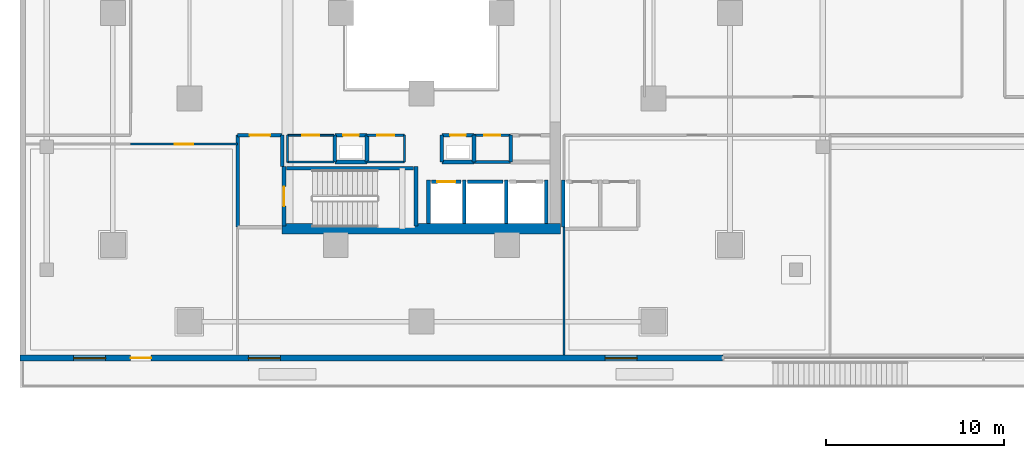
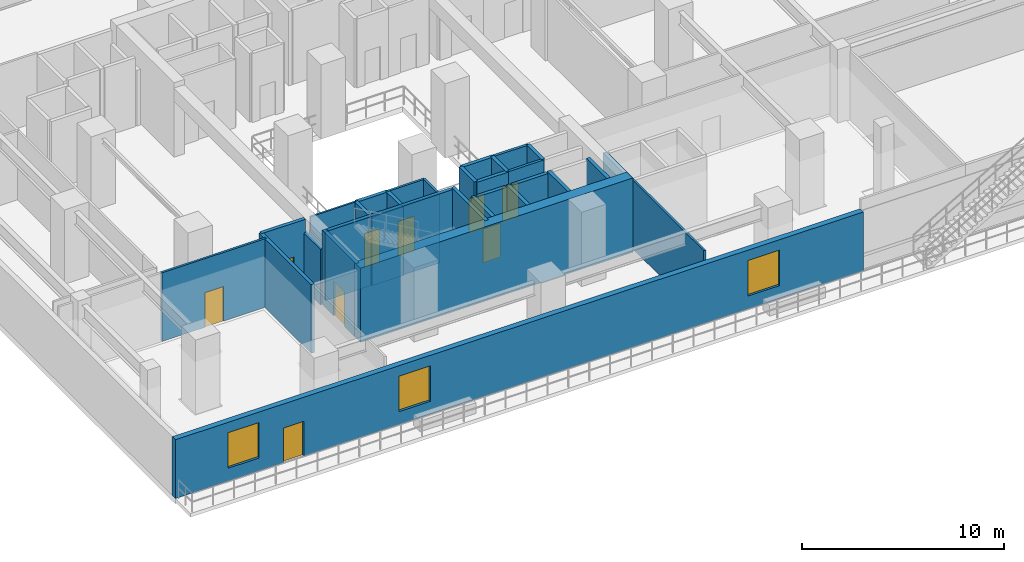
# One storey, part 13 of 25: 34 walls, 10 doors, 3 windows, 13 openings.
"""IFC4 building model written with IfcOpenShell, lengths in metres."""

from ifc_helpers import new_model, si_unit, direction, frame, frame_2d, origin, place, context, subcontext, project, spatial, rectangle, extrude, material, layer, layer_set, type_object, element, fill, save


model = new_model("IFC4")

# Units and contexts
model_context = context("Model", 3, precision=1e-05, world=origin(), true_north=direction((0.0, 1.0)))
body_context = subcontext(model_context, "Body", "Model", "MODEL_VIEW")
ifc_project = project(units=[si_unit("LENGTHUNIT", "METRE"), si_unit("AREAUNIT", "SQUARE_METRE"), si_unit("VOLUMEUNIT", "CUBIC_METRE"), si_unit("PLANEANGLEUNIT", "RADIAN"), si_unit("MASSUNIT", "GRAM", prefix="KILO")], contexts=[model_context])

# Site, building, storey
site_placement = place(None, origin())
site = spatial("IfcSite", under=ifc_project, at=site_placement, CompositionType="ELEMENT")
building_placement = place(site_placement, origin())
building = spatial("IfcBuilding", under=site, at=building_placement, Name="Thornwick Lancets Civic Towers", CompositionType="ELEMENT")
storey_placement = place(building_placement, frame((0.0, 0.0, 9.60009765625)))
storey = spatial("IfcBuildingStorey", under=building, at=storey_placement, Name="L02", CompositionType="ELEMENT", Elevation=9.60009765625)

# Wall, opening, door
ifc_material_1 = material(Name="Concrete blockwork C40/50", Category="masonry")
ifc_layer_1 = layer(ifc_material_1, 0.199951171875, Name="Concrete blockwork C40/50")
ifc_layer_set_1 = layer_set([ifc_layer_1], Name="Concrete blockwork C40/50")
wall_type_1 = type_object("IfcWallType", Name="WALL_COMP_200", PredefinedType="STANDARD", material=ifc_layer_set_1)
wall_1_placement = place(storey_placement, frame((26.080078125, 17.550048828125, 0.0), z_axis=(0.0, 0.0, 1.0), x_axis=(1.0, 0.0, 0.0)))
wall_1 = element("IfcWall", 1, at=wall_1_placement, inside=storey, type_object=wall_type_1, Name="L02 Hoistway Front Wall FL-A1", PredefinedType="STANDARD", context=body_context, shape_type="SweptSolid", body=[
    extrude(rectangle(XDim=1.639892578125, YDim=0.199951171875, at=frame_2d((0.81982421875, 0.0))), origin(), (0.0, 0.0, 1.0), 4.159912109375),
])
opening_1_placement = place(wall_1_placement, frame((0.31005859375, 0.0, 0.0)))
opening_1 = element("IfcOpeningElement", 2, at=opening_1_placement, cuts=wall_1, Name="Opening LD-FL-A1", PredefinedType="OPENING", context=body_context, shape_type="SweptSolid", body=[
    extrude(rectangle(XDim=1.02001953125, YDim=2.06005859375, at=frame_2d((0.510009765625, 1.030029296875))), frame((0.0, 0.10986328125, 0.0), z_axis=(0.0, -1.0, 0.0), x_axis=(1.0, 0.0, 0.0)), (0.0, 0.0, 1.0), 0.219970703125),
])
ifc_material_2 = material(Name="Brushed bronze stainless steel", Category="steel")
door_type_1 = type_object("IfcDoorType", Name="DOOR_LIFT_SLIDE", OperationType="SLIDING_TO_LEFT", PredefinedType="DOOR", material=ifc_material_2)
door_1_placement = place(opening_1_placement, origin())
door_1 = element("IfcDoor", 3, at=door_1_placement, inside=storey, type_object=door_type_1, Name="L02 Sliding Lift Landing Door LD-FL-A1", OperationType="SLIDING_TO_LEFT", OverallHeight=2.06005859375, OverallWidth=1.02001953125, PredefinedType="DOOR", context=body_context, shape_type="SweptSolid", body=[
    extrude(rectangle(XDim=1.02001953125, YDim=2.06005859375, at=frame_2d((0.510009765625, 1.030029296875))), frame((0.0, 0.02490234375, 0.0), z_axis=(0.0, -1.0, 0.0), x_axis=(1.0, 0.0, 0.0)), (0.0, 0.0, 1.0), 0.050048828125),
])
fill(opening_1, door_1)

# Walls
wall_2_placement = place(storey_placement, frame((28.080078125, 17.550048828125, 0.0), z_axis=(0.0, 0.0, 1.0), x_axis=(1.0, 0.0, 0.0)))
element("IfcWall", 4, at=wall_2_placement, inside=storey, type_object=wall_type_1, Name="L02 Hoistway Front Wall PL-AH1", PredefinedType="STANDARD", context=body_context, shape_type="SweptSolid", body=[
    extrude(rectangle(XDim=1.989990234375, YDim=0.199951171875, at=frame_2d((0.9951171875, 0.0))), origin(), (0.0, 0.0, 1.0), 4.159912109375),
])
for number, where, z_axis, x_axis, name in (
    (5, (27.89990234375, 15.2119140625, 0.0), (0.0, 0.0, 1.0), (0.0, 1.0, 0.0), "L02 Hoistway Shaft Wall FL-A1 E"),
    (6, (25.89990234375, 15.2119140625, 0.0), (0.0, 0.0, 1.0), (0.0, 1.0, 0.0), "L02 Hoistway Shaft Wall FL-A1 W"),
    (7, (30.25, 15.2119140625, 0.0), (0.0, 0.0, 1.0), (0.0, 1.0, 0.0), "L02 Hoistway Shaft Wall PL-AH1 E"),
    (8, (32.5, 15.2119140625, 0.0), (0.0, 0.0, 1.0), (0.0, 1.0, 0.0), "L02 Hoistway Shaft Wall PL-AL1 E"),
):
    element("IfcWall", number, at=place(storey_placement, frame(where, z_axis=z_axis, x_axis=x_axis)), inside=storey, type_object=wall_type_1, Name=name, PredefinedType="STANDARD", context=body_context, shape_type="SweptSolid", body=[
        extrude(rectangle(XDim=2.43603515625, YDim=0.199951171875, at=frame_2d((1.218017578125, 0.0))), origin(), (0.0, 0.0, 1.0), 4.159912109375),
    ])
wall_3_placement = place(storey_placement, frame((33.449951171875, 15.011962890625, 0.0), z_axis=(0.0, 0.0, 1.0), x_axis=(0.0, 1.0, 0.0)))
element("IfcWall", 9, at=wall_3_placement, inside=storey, type_object=wall_type_1, Name="L02 Hoistway Shaft Wall PL-AL2 W", PredefinedType="STANDARD", context=body_context, shape_type="SweptSolid", body=[
    extrude(rectangle(XDim=2.635986328125, YDim=0.199951171875, at=frame_2d((1.31787109375, 0.0))), origin(), (0.0, 0.0, 1.0), 4.159912109375),
])
wall_4_placement = place(storey_placement, frame((17.699951171875, 18.39990234375, 0.0), z_axis=(0.0, 0.0, 1.0), x_axis=(0.0, 1.0, 0.0)))
element("IfcWall", 10, at=wall_4_placement, inside=storey, type_object=wall_type_1, Name="L02 Partition L02-A-FFLOB1 E2", PredefinedType="STANDARD", context=body_context, shape_type="SweptSolid", body=[
    extrude(rectangle(XDim=1.75, YDim=0.199951171875, at=frame_2d((0.875, 0.0))), origin(), (0.0, 0.0, 1.0), 3.364990234375),
])

# Wall, opening, door
wall_5_placement = place(storey_placement, frame((17.699951171875, 20.14990234375, 0.0), z_axis=(0.0, 0.0, 1.0), x_axis=(-1.0, 0.0, 0.0)))
wall_5 = element("IfcWall", 11, at=wall_5_placement, inside=storey, type_object=wall_type_1, Name="L02 Partition L02-A-FFLOB1 E3", PredefinedType="STANDARD", context=body_context, shape_type="SweptSolid", body=[
    extrude(rectangle(XDim=2.5, YDim=0.199951171875, at=frame_2d((1.25, 0.0))), origin(), (0.0, 0.0, 1.0), 4.159912109375),
])
opening_2_placement = place(wall_5_placement, frame((0.675048828125, 0.0, 0.0)))
opening_2 = element("IfcOpeningElement", 12, at=opening_2_placement, cuts=wall_5, Name="Opening D-L02-0138", PredefinedType="OPENING", context=body_context, shape_type="SweptSolid", body=[
    extrude(rectangle(XDim=1.14990234375, YDim=2.10009765625, at=frame_2d((0.574951171875, 1.050048828125))), frame((0.0, 0.10986328125, 0.0), z_axis=(0.0, -1.0, 0.0), x_axis=(1.0, 0.0, 0.0)), (0.0, 0.0, 1.0), 0.219970703125),
])
ifc_material_3 = material(Name="Glazed fire-resisting steel", Category="steel")
door_type_2 = type_object("IfcDoorType", Name="DOOR_LOBBY_FD60", OperationType="NOTDEFINED", PredefinedType="DOOR", material=ifc_material_3)
door_2_placement = place(opening_2_placement, origin())
door_2 = element("IfcDoor", 13, at=door_2_placement, inside=storey, type_object=door_type_2, Name="L02 South Firefighting Lobby 1 Door", OperationType="SINGLE_SWING_LEFT", OverallHeight=2.10009765625, OverallWidth=1.14990234375, PredefinedType="DOOR", context=body_context, shape_type="SweptSolid", body=[
    extrude(rectangle(XDim=1.14990234375, YDim=2.10009765625, at=frame_2d((0.574951171875, 1.050048828125))), frame((0.0, 0.02490234375, 0.0), z_axis=(0.0, -1.0, 0.0), x_axis=(1.0, 0.0, 0.0)), (0.0, 0.0, 1.0), 0.050048828125),
])
fill(opening_2, door_2)

# Walls
wall_6_placement = place(storey_placement, frame((15.199951171875, 20.14990234375, 0.0), z_axis=(0.0, 0.0, 1.0), x_axis=(0.0, -1.0, 0.0)))
element("IfcWall", 14, at=wall_6_placement, inside=storey, type_object=wall_type_1, Name="L02 Partition L02-A-FFLOB1 E4", PredefinedType="STANDARD", context=body_context, shape_type="SweptSolid", body=[
    extrude(rectangle(XDim=5.14990234375, YDim=0.199951171875, at=frame_2d((2.574951171875, 0.0))), origin(), (0.0, 0.0, 1.0), 4.159912109375),
])
wall_7_placement = place(storey_placement, frame((26.64990234375, 18.64990234375, 0.0), z_axis=(0.0, 0.0, 1.0), x_axis=(1.0, 0.0, 0.0)))
element("IfcWall", 15, at=wall_7_placement, inside=storey, type_object=wall_type_1, Name="L02 Partition L02-A-DUCT1 E1", PredefinedType="STANDARD", context=body_context, shape_type="SweptSolid", body=[
    extrude(rectangle(XDim=1.800048828125, YDim=0.199951171875, at=frame_2d((0.89990234375, 0.0))), origin(), (0.0, 0.0, 1.0), 4.159912109375),
])
wall_8_placement = place(storey_placement, frame((28.449951171875, 18.64990234375, 0.0), z_axis=(0.0, 0.0, 1.0), x_axis=(0.0, 1.0, 0.0)))
element("IfcWall", 16, at=wall_8_placement, inside=storey, type_object=wall_type_1, Name="L02 Partition L02-A-DUCT1 E2", PredefinedType="STANDARD", context=body_context, shape_type="SweptSolid", body=[
    extrude(rectangle(XDim=1.5, YDim=0.199951171875, at=frame_2d((0.75, 0.0))), origin(), (0.0, 0.0, 1.0), 4.159912109375),
])

# Wall, opening, door
wall_9_placement = place(storey_placement, frame((28.449951171875, 20.14990234375, 0.0), z_axis=(0.0, 0.0, 1.0), x_axis=(-1.0, 0.0, 0.0)))
wall_9 = element("IfcWall", 17, at=wall_9_placement, inside=storey, type_object=wall_type_1, Name="L02 Partition L02-A-DUCT1 E3", PredefinedType="STANDARD", context=body_context, shape_type="SweptSolid", body=[
    extrude(rectangle(XDim=1.800048828125, YDim=0.199951171875, at=frame_2d((0.89990234375, 0.0))), origin(), (0.0, 0.0, 1.0), 4.159912109375),
])
opening_3_placement = place(wall_9_placement, frame((0.4599609375, 0.0, 0.0)))
opening_3 = element("IfcOpeningElement", 18, at=opening_3_placement, cuts=wall_9, Name="Opening D-L02-0140", PredefinedType="OPENING", context=body_context, shape_type="SweptSolid", body=[
    extrude(rectangle(XDim=0.8798828125, YDim=2.0400390625, at=frame_2d((0.43994140625, 1.02001953125))), frame((0.0, 0.10986328125, 0.0), z_axis=(0.0, -1.0, 0.0), x_axis=(1.0, 0.0, 0.0)), (0.0, 0.0, 1.0), 0.219970703125),
])
ifc_material_4 = material(Name="Steel riser access doorset", Category="steel")
door_type_3 = type_object("IfcDoorType", Name="DOOR_RISER_850", OperationType="NOTDEFINED", PredefinedType="DOOR", material=ifc_material_4)
door_3_placement = place(opening_3_placement, origin())
door_3 = element("IfcDoor", 19, at=door_3_placement, inside=storey, type_object=door_type_3, Name="L02 South Service Duct 1 Door", OperationType="SINGLE_SWING_LEFT", OverallHeight=2.0400390625, OverallWidth=0.8798828125, PredefinedType="DOOR", context=body_context, shape_type="SweptSolid", body=[
    extrude(rectangle(XDim=0.8798828125, YDim=2.0400390625, at=frame_2d((0.43994140625, 1.02001953125))), frame((0.0, 0.02490234375, 0.0), z_axis=(0.0, -1.0, 0.0), x_axis=(1.0, 0.0, 0.0)), (0.0, 0.0, 1.0), 0.050048828125),
])
fill(opening_3, door_3)

# Walls
wall_10_placement = place(storey_placement, frame((26.64990234375, 20.14990234375, 0.0), z_axis=(0.0, 0.0, 1.0), x_axis=(0.0, -1.0, 0.0)))
element("IfcWall", 20, at=wall_10_placement, inside=storey, type_object=wall_type_1, Name="L02 Partition L02-A-DUCT1 E4", PredefinedType="STANDARD", context=body_context, shape_type="SweptSolid", body=[
    extrude(rectangle(XDim=1.5, YDim=0.199951171875, at=frame_2d((0.75, 0.0))), origin(), (0.0, 0.0, 1.0), 4.159912109375),
])
wall_11_placement = place(storey_placement, frame((20.64990234375, 18.64990234375, 0.0), z_axis=(0.0, 0.0, 1.0), x_axis=(1.0, 0.0, 0.0)))
element("IfcWall", 21, at=wall_11_placement, inside=storey, type_object=wall_type_1, Name="L02 Partition L02-A-RISER1 E1", PredefinedType="STANDARD", context=body_context, shape_type="SweptSolid", body=[
    extrude(rectangle(XDim=1.800048828125, YDim=0.199951171875, at=frame_2d((0.89990234375, 0.0))), origin(), (0.0, 0.0, 1.0), 4.159912109375),
])
wall_12_placement = place(storey_placement, frame((22.449951171875, 18.64990234375, 0.0), z_axis=(0.0, 0.0, 1.0), x_axis=(0.0, 1.0, 0.0)))
element("IfcWall", 22, at=wall_12_placement, inside=storey, type_object=wall_type_1, Name="L02 Partition L02-A-RISER1 E2", PredefinedType="STANDARD", context=body_context, shape_type="SweptSolid", body=[
    extrude(rectangle(XDim=1.5, YDim=0.199951171875, at=frame_2d((0.75, 0.0))), origin(), (0.0, 0.0, 1.0), 4.159912109375),
])

# Wall, opening, door
wall_13_placement = place(storey_placement, frame((22.449951171875, 20.14990234375, 0.0), z_axis=(0.0, 0.0, 1.0), x_axis=(-1.0, 0.0, 0.0)))
wall_13 = element("IfcWall", 23, at=wall_13_placement, inside=storey, type_object=wall_type_1, Name="L02 Partition L02-A-RISER1 E3", PredefinedType="STANDARD", context=body_context, shape_type="SweptSolid", body=[
    extrude(rectangle(XDim=1.800048828125, YDim=0.199951171875, at=frame_2d((0.89990234375, 0.0))), origin(), (0.0, 0.0, 1.0), 4.159912109375),
])
opening_4_placement = place(wall_13_placement, frame((0.4599609375, 0.0, 0.0)))
opening_4 = element("IfcOpeningElement", 24, at=opening_4_placement, cuts=wall_13, Name="Opening D-L02-0141", PredefinedType="OPENING", context=body_context, shape_type="SweptSolid", body=[
    extrude(rectangle(XDim=0.8798828125, YDim=2.0400390625, at=frame_2d((0.43994140625, 1.02001953125))), frame((0.0, 0.10986328125, 0.0), z_axis=(0.0, -1.0, 0.0), x_axis=(1.0, 0.0, 0.0)), (0.0, 0.0, 1.0), 0.219970703125),
])
door_4_placement = place(opening_4_placement, origin())
door_4 = element("IfcDoor", 25, at=door_4_placement, inside=storey, type_object=door_type_3, Name="L02 South Electrical Riser 1 Door", OperationType="SINGLE_SWING_RIGHT", OverallHeight=2.0400390625, OverallWidth=0.8798828125, PredefinedType="DOOR", context=body_context, shape_type="SweptSolid", body=[
    extrude(rectangle(XDim=0.8798828125, YDim=2.0400390625, at=frame_2d((0.43994140625, 1.02001953125))), frame((0.0, 0.02490234375, 0.0), z_axis=(0.0, -1.0, 0.0), x_axis=(1.0, 0.0, 0.0)), (0.0, 0.0, 1.0), 0.050048828125),
])
fill(opening_4, door_4)

# Walls
for number, where, z_axis, x_axis, name in (
    (26, (20.64990234375, 20.14990234375, 0.0), (0.0, 0.0, 1.0), (0.0, -1.0, 0.0), "L02 Partition L02-A-RISER1 E4"),
    (27, (30.5, 18.64990234375, 0.0), (0.0, 0.0, 1.0), (0.0, 1.0, 0.0), "L02 Partition L02-A-STR2 E3"),
):
    element("IfcWall", number, at=place(storey_placement, frame(where, z_axis=z_axis, x_axis=x_axis)), inside=storey, type_object=wall_type_1, Name=name, PredefinedType="STANDARD", context=body_context, shape_type="SweptSolid", body=[
        extrude(rectangle(XDim=1.5, YDim=0.199951171875, at=frame_2d((0.75, 0.0))), origin(), (0.0, 0.0, 1.0), 4.159912109375),
    ])
ifc_material_5 = material(Name="Concrete C60/75", Category="concrete")
ifc_layer_2 = layer(ifc_material_5, 0.60009765625, Name="Concrete C60/75")
ifc_layer_set_2 = layer_set([ifc_layer_2], Name="Concrete C60/75")
wall_type_2 = type_object("IfcWallType", Name="WALL_CORE_600", PredefinedType="SHEAR", material=ifc_layer_set_2)
wall_14_placement = place(storey_placement, frame((17.699951171875, 14.89990234375, 0.0), z_axis=(0.0, 0.0, 1.0), x_axis=(1.0, 0.0, 0.0)))
element("IfcWall", 28, at=wall_14_placement, inside=storey, type_object=wall_type_2, Name="L02 Split Core A1 Shear Wall S", PredefinedType="SHEAR", context=body_context, shape_type="SweptSolid", body=[
    extrude(rectangle(XDim=15.60009765625, YDim=0.60009765625, at=frame_2d((7.800048828125, 0.0))), origin(), (0.0, 0.0, 1.0), 4.5),
])

# Wall, openings, door, windows
ifc_material_6 = material(Name="Insulated buff terracotta rainscreen on concrete C40/50", Category="masonry")
ifc_layer_3 = layer(ifc_material_6, 0.320068359375, Name="Insulated buff terracotta rainscreen on concrete C40/50")
ifc_layer_set_3 = layer_set([ifc_layer_3], Name="Insulated buff terracotta rainscreen on concrete C40/50")
wall_type_3 = type_object("IfcWallType", Name="WALL_EXT_TERRA_320", PredefinedType="STANDARD", material=ifc_layer_set_3)
wall_15_placement = place(storey_placement, frame((3.0, 7.659912109375, 0.0), z_axis=(0.0, 0.0, 1.0), x_axis=(1.0, 0.0, 0.0)))
wall_15 = element("IfcWall", 29, at=wall_15_placement, inside=storey, type_object=wall_type_3, Name="L02 Podium South-West Facade Wall", PredefinedType="STANDARD", context=body_context, shape_type="SweptSolid", body=[
    extrude(rectangle(XDim=39.39990234375, YDim=0.320068359375, at=frame_2d((19.699951171875, 0.0))), origin(), (0.0, 0.0, 1.0), 3.559814453125),
])
opening_5_placement = place(wall_15_placement, frame((6.199951171875, 0.0, 0.0)))
opening_5 = element("IfcOpeningElement", 30, at=opening_5_placement, cuts=wall_15, Name="Opening D-TR-L02-1", PredefinedType="OPENING", context=body_context, shape_type="SweptSolid", body=[
    extrude(rectangle(XDim=1.14990234375, YDim=2.10009765625, at=frame_2d((0.574951171875, 1.050048828125))), frame((0.0, 0.169921875, 0.0), z_axis=(0.0, -1.0, 0.0), x_axis=(1.0, 0.0, 0.0)), (0.0, 0.0, 1.0), 0.340087890625),
])
opening_6_placement = place(wall_15_placement, frame((3.0, 0.0, 0.780029296875)))
opening_6 = element("IfcOpeningElement", 31, at=opening_6_placement, cuts=wall_15, Name="Opening WP-18", PredefinedType="OPENING", context=body_context, shape_type="SweptSolid", body=[
    extrude(rectangle(XDim=1.800048828125, YDim=2.14990234375, at=frame_2d((0.89990234375, 1.074951171875))), frame((0.0, 0.169921875, 0.0), z_axis=(0.0, -1.0, 0.0), x_axis=(1.0, 0.0, 0.0)), (0.0, 0.0, 1.0), 0.340087890625),
])
opening_7_placement = place(wall_15_placement, frame((12.800048828125, 0.0, 0.780029296875)))
opening_7 = element("IfcOpeningElement", 32, at=opening_7_placement, cuts=wall_15, Name="Opening WP-18", PredefinedType="OPENING", context=body_context, shape_type="SweptSolid", body=[
    extrude(rectangle(XDim=1.800048828125, YDim=2.14990234375, at=frame_2d((0.89990234375, 1.074951171875))), frame((0.0, 0.169921875, 0.0), z_axis=(0.0, -1.0, 0.0), x_axis=(1.0, 0.0, 0.0)), (0.0, 0.0, 1.0), 0.340087890625),
])
opening_8_placement = place(wall_15_placement, frame((32.800048828125, 0.0, 0.780029296875)))
opening_8 = element("IfcOpeningElement", 33, at=opening_8_placement, cuts=wall_15, Name="Opening WP-18", PredefinedType="OPENING", context=body_context, shape_type="SweptSolid", body=[
    extrude(rectangle(XDim=1.800048828125, YDim=2.14990234375, at=frame_2d((0.89990234375, 1.074951171875))), frame((0.0, 0.169921875, 0.0), z_axis=(0.0, -1.0, 0.0), x_axis=(1.0, 0.0, 0.0)), (0.0, 0.0, 1.0), 0.340087890625),
])
ifc_material_7 = material(Name="Thermally broken glazed terrace doorset")
door_type_4 = type_object("IfcDoorType", Name="DOOR_TERRACE_1200", OperationType="NOTDEFINED", PredefinedType="DOOR", material=ifc_material_7)
door_5_placement = place(opening_5_placement, origin())
door_5 = element("IfcDoor", 34, at=door_5_placement, inside=storey, type_object=door_type_4, Name="L02 Cascading Garden Terrace Door 1", OperationType="SINGLE_SWING_LEFT", OverallHeight=2.10009765625, OverallWidth=1.14990234375, PredefinedType="DOOR", context=body_context, shape_type="SweptSolid", body=[
    extrude(rectangle(XDim=1.14990234375, YDim=2.10009765625, at=frame_2d((0.574951171875, 1.050048828125))), frame((0.0, 0.02490234375, 0.0), z_axis=(0.0, -1.0, 0.0), x_axis=(1.0, 0.0, 0.0)), (0.0, 0.0, 1.0), 0.050048828125),
])
fill(opening_5, door_5)
ifc_material_8 = material(Name="Pointed lancet clear glass window", Category="glass")
window_type = type_object("IfcWindowType", Name="WIN_PODIUM_1800", PartitioningType="SINGLE_PANEL", PredefinedType="WINDOW", material=ifc_material_8)
window_1_placement = place(opening_6_placement, origin())
window_1 = element("IfcWindow", 35, at=window_1_placement, inside=storey, type_object=window_type, Name="L02 Podium Lancet Window 1", OverallHeight=2.14990234375, OverallWidth=1.800048828125, PartitioningType="SINGLE_PANEL", PredefinedType="WINDOW", context=body_context, shape_type="SweptSolid", body=[
    extrude(rectangle(XDim=1.800048828125, YDim=2.14990234375, at=frame_2d((0.89990234375, 1.074951171875))), frame((0.0, 0.030029296875, 0.0), z_axis=(0.0, -1.0, 0.0), x_axis=(1.0, 0.0, 0.0)), (0.0, 0.0, 1.0), 0.06005859375),
])
fill(opening_6, window_1)
window_2_placement = place(opening_7_placement, origin())
window_2 = element("IfcWindow", 36, at=window_2_placement, inside=storey, type_object=window_type, Name="L02 Podium Lancet Window 2", OverallHeight=2.14990234375, OverallWidth=1.800048828125, PartitioningType="SINGLE_PANEL", PredefinedType="WINDOW", context=body_context, shape_type="SweptSolid", body=[
    extrude(rectangle(XDim=1.800048828125, YDim=2.14990234375, at=frame_2d((0.89990234375, 1.074951171875))), frame((0.0, 0.030029296875, 0.0), z_axis=(0.0, -1.0, 0.0), x_axis=(1.0, 0.0, 0.0)), (0.0, 0.0, 1.0), 0.06005859375),
])
fill(opening_7, window_2)
window_3_placement = place(opening_8_placement, origin())
window_3 = element("IfcWindow", 37, at=window_3_placement, inside=storey, type_object=window_type, Name="L02 Podium Lancet Window 4", OverallHeight=2.14990234375, OverallWidth=1.800048828125, PartitioningType="SINGLE_PANEL", PredefinedType="WINDOW", context=body_context, shape_type="SweptSolid", body=[
    extrude(rectangle(XDim=1.800048828125, YDim=2.14990234375, at=frame_2d((0.89990234375, 1.074951171875))), frame((0.0, 0.030029296875, 0.0), z_axis=(0.0, -1.0, 0.0), x_axis=(1.0, 0.0, 0.0)), (0.0, 0.0, 1.0), 0.06005859375),
])
fill(opening_8, window_3)

# Wall
ifc_material_9 = material(Name="Lightweight cellular office partition")
ifc_layer_4 = layer(ifc_material_9, 0.10009765625, Name="Lightweight cellular office partition")
ifc_layer_set_4 = layer_set([ifc_layer_4], Name="Lightweight cellular office partition")
wall_type_4 = type_object("IfcWallType", Name="WALL_PART_100", PredefinedType="PARTITIONING", material=ifc_layer_set_4)
wall_16_placement = place(storey_placement, frame((18.0, 18.64990234375, 0.0), z_axis=(0.0, 0.0, 1.0), x_axis=(1.0, 0.0, 0.0)))
element("IfcWall", 38, at=wall_16_placement, inside=storey, type_object=wall_type_4, Name="L02 Partition L02-A-CLN E1", PredefinedType="PARTITIONING", context=body_context, shape_type="SweptSolid", body=[
    extrude(rectangle(XDim=2.60009765625, YDim=0.10009765625, at=frame_2d((1.300048828125, 0.0))), origin(), (0.0, 0.0, 1.0), 4.159912109375),
])

# Wall, opening, door
wall_17_placement = place(storey_placement, frame((20.60009765625, 20.14990234375, 0.0), z_axis=(0.0, 0.0, 1.0), x_axis=(-1.0, 0.0, 0.0)))
wall_17 = element("IfcWall", 39, at=wall_17_placement, inside=storey, type_object=wall_type_4, Name="L02 Partition L02-A-CLN E3", PredefinedType="PARTITIONING", context=body_context, shape_type="SweptSolid", body=[
    extrude(rectangle(XDim=2.60009765625, YDim=0.10009765625, at=frame_2d((1.300048828125, 0.0))), origin(), (0.0, 0.0, 1.0), 4.159912109375),
])
opening_9_placement = place(wall_17_placement, frame((0.824951171875, 0.0, 0.0)))
opening_9 = element("IfcOpeningElement", 40, at=opening_9_placement, cuts=wall_17, Name="Opening D-L02-0144", PredefinedType="OPENING", context=body_context, shape_type="SweptSolid", body=[
    extrude(rectangle(XDim=0.949951171875, YDim=2.10009765625, at=frame_2d((0.47509765625, 1.050048828125))), frame((0.0, 0.06005859375, 0.0), z_axis=(0.0, -1.0, 0.0), x_axis=(1.0, 0.0, 0.0)), (0.0, 0.0, 1.0), 0.1201171875),
])
ifc_material_10 = material(Name="European oak acoustic doorset")
door_type_5 = type_object("IfcDoorType", Name="DOOR_OFFICE_950", OperationType="NOTDEFINED", PredefinedType="DOOR", material=ifc_material_10)
door_6_placement = place(opening_9_placement, origin())
door_6 = element("IfcDoor", 41, at=door_6_placement, inside=storey, type_object=door_type_5, Name="L02 Tower A Cleaners Store Door", OperationType="SINGLE_SWING_LEFT", OverallHeight=2.10009765625, OverallWidth=0.949951171875, PredefinedType="DOOR", context=body_context, shape_type="SweptSolid", body=[
    extrude(rectangle(XDim=0.949951171875, YDim=2.10009765625, at=frame_2d((0.47509765625, 1.050048828125))), frame((0.0, 0.02490234375, 0.0), z_axis=(0.0, -1.0, 0.0), x_axis=(1.0, 0.0, 0.0)), (0.0, 0.0, 1.0), 0.050048828125),
])
fill(opening_9, door_6)

# Walls
wall_18_placement = place(storey_placement, frame((18.0, 20.14990234375, 0.0), z_axis=(0.0, 0.0, 1.0), x_axis=(0.0, -1.0, 0.0)))
element("IfcWall", 42, at=wall_18_placement, inside=storey, type_object=wall_type_4, Name="L02 Partition L02-A-CLN E4", PredefinedType="PARTITIONING", context=body_context, shape_type="SweptSolid", body=[
    extrude(rectangle(XDim=1.5, YDim=0.10009765625, at=frame_2d((0.75, 0.0))), origin(), (0.0, 0.0, 1.0), 3.364990234375),
])
ifc_material_11 = material(Name="Acoustic gypsum board partition")
ifc_layer_5 = layer(ifc_material_11, 0.1201171875, Name="Acoustic gypsum board partition")
ifc_layer_set_5 = layer_set([ifc_layer_5], Name="Acoustic gypsum board partition")
wall_type_5 = type_object("IfcWallType", Name="WALL_PART_120", PredefinedType="PARTITIONING", material=ifc_layer_set_5)
wall_19_placement = place(storey_placement, frame((24.550048828125, 20.14990234375, 0.0), z_axis=(0.0, 0.0, 1.0), x_axis=(0.0, -1.0, 0.0)))
element("IfcWall", 43, at=wall_19_placement, inside=storey, type_object=wall_type_5, Name="L02 Partition L02-A-ITR E1", PredefinedType="PARTITIONING", context=body_context, shape_type="SweptSolid", body=[
    extrude(rectangle(XDim=1.5, YDim=0.1201171875, at=frame_2d((0.75, 0.0))), origin(), (0.0, 0.0, 1.0), 4.159912109375),
])
wall_20_placement = place(storey_placement, frame((24.550048828125, 18.64990234375, 0.0), z_axis=(0.0, 0.0, 1.0), x_axis=(-1.0, 0.0, 0.0)))
element("IfcWall", 44, at=wall_20_placement, inside=storey, type_object=wall_type_5, Name="L02 Partition L02-A-ITR E2", PredefinedType="PARTITIONING", context=body_context, shape_type="SweptSolid", body=[
    extrude(rectangle(XDim=2.10009765625, YDim=0.1201171875, at=frame_2d((1.050048828125, 0.0))), origin(), (0.0, 0.0, 1.0), 4.159912109375),
])

# Wall, opening, door
wall_21_placement = place(storey_placement, frame((22.449951171875, 20.14990234375, 0.0), z_axis=(0.0, 0.0, 1.0), x_axis=(1.0, 0.0, 0.0)))
wall_21 = element("IfcWall", 45, at=wall_21_placement, inside=storey, type_object=wall_type_5, Name="L02 Partition L02-A-ITR E4", PredefinedType="PARTITIONING", context=body_context, shape_type="SweptSolid", body=[
    extrude(rectangle(XDim=2.10009765625, YDim=0.1201171875, at=frame_2d((1.050048828125, 0.0))), origin(), (0.0, 0.0, 1.0), 4.159912109375),
])
opening_10_placement = place(wall_21_placement, frame((0.574951171875, 0.0, 0.0)))
opening_10 = element("IfcOpeningElement", 46, at=opening_10_placement, cuts=wall_21, Name="Opening D-L02-0145", PredefinedType="OPENING", context=body_context, shape_type="SweptSolid", body=[
    extrude(rectangle(XDim=0.949951171875, YDim=2.10009765625, at=frame_2d((0.47509765625, 1.050048828125))), frame((0.0, 0.070068359375, 0.0), z_axis=(0.0, -1.0, 0.0), x_axis=(1.0, 0.0, 0.0)), (0.0, 0.0, 1.0), 0.14013671875),
])
door_7_placement = place(opening_10_placement, origin())
door_7 = element("IfcDoor", 47, at=door_7_placement, inside=storey, type_object=door_type_5, Name="L02 Tower A Comms Patch Room Door", OperationType="SINGLE_SWING_RIGHT", OverallHeight=2.10009765625, OverallWidth=0.949951171875, PredefinedType="DOOR", context=body_context, shape_type="SweptSolid", body=[
    extrude(rectangle(XDim=0.949951171875, YDim=2.10009765625, at=frame_2d((0.47509765625, 1.050048828125))), frame((0.0, 0.02490234375, 0.0), z_axis=(0.0, -1.0, 0.0), x_axis=(1.0, 0.0, 0.0)), (0.0, 0.0, 1.0), 0.050048828125),
])
fill(opening_10, door_7)

wall_22_placement = place(storey_placement, frame((9.199951171875, 19.64990234375, 0.0), z_axis=(0.0, 0.0, 1.0), x_axis=(1.0, 0.0, 0.0)))
wall_22 = element("IfcWall", 48, at=wall_22_placement, inside=storey, type_object=wall_type_5, Name="L02 Partition L02-MINW E4", PredefinedType="PARTITIONING", context=body_context, shape_type="SweptSolid", body=[
    extrude(rectangle(XDim=6.0, YDim=0.1201171875, at=frame_2d((3.0, 0.0))), origin(), (0.0, 0.0, 1.0), 4.159912109375),
])
opening_11_placement = place(wall_22_placement, frame((2.47509765625, 0.0, 0.0)))
opening_11 = element("IfcOpeningElement", 49, at=opening_11_placement, cuts=wall_22, Name="Opening D-L02-0165", PredefinedType="OPENING", context=body_context, shape_type="SweptSolid", body=[
    extrude(rectangle(XDim=1.050048828125, YDim=2.10009765625, at=frame_2d((0.52490234375, 1.050048828125))), frame((0.0, 0.070068359375, 0.0), z_axis=(0.0, -1.0, 0.0), x_axis=(1.0, 0.0, 0.0)), (0.0, 0.0, 1.0), 0.14013671875),
])
ifc_material_12 = material(Name="Glazed European oak executive doorset")
door_type_6 = type_object("IfcDoorType", Name="DOOR_OFFICE_1050", OperationType="NOTDEFINED", PredefinedType="DOOR", material=ifc_material_12)
door_8_placement = place(opening_11_placement, origin())
door_8 = element("IfcDoor", 50, at=door_8_placement, inside=storey, type_object=door_type_6, Name="L02 Ministry Policy Directorate West Door", OperationType="SINGLE_SWING_RIGHT", OverallHeight=2.10009765625, OverallWidth=1.050048828125, PredefinedType="DOOR", context=body_context, shape_type="SweptSolid", body=[
    extrude(rectangle(XDim=1.050048828125, YDim=2.10009765625, at=frame_2d((0.52490234375, 1.050048828125))), frame((0.0, 0.02490234375, 0.0), z_axis=(0.0, -1.0, 0.0), x_axis=(1.0, 0.0, 0.0)), (0.0, 0.0, 1.0), 0.050048828125),
])
fill(opening_11, door_8)

# Walls
wall_23_placement = place(storey_placement, frame((33.5, 7.820068359375, 0.0), z_axis=(0.0, 0.0, 1.0), x_axis=(0.0, 1.0, 0.0)))
element("IfcWall", 51, at=wall_23_placement, inside=storey, type_object=wall_type_5, Name="L02 Partition L02-RECEP E2", PredefinedType="PARTITIONING", context=body_context, shape_type="SweptSolid", body=[
    extrude(rectangle(XDim=7.19189453125, YDim=0.1201171875, at=frame_2d((3.595947265625, 0.0))), origin(), (0.0, 0.0, 1.0), 4.159912109375),
])
ifc_material_13 = material(Name="Twin-stud acoustic gypsum board")
ifc_layer_6 = layer(ifc_material_13, 0.14990234375, Name="Twin-stud acoustic gypsum board")
ifc_layer_set_6 = layer_set([ifc_layer_6], Name="Twin-stud acoustic gypsum board")
wall_type_6 = type_object("IfcWallType", Name="WALL_PART_150", PredefinedType="PARTITIONING", material=ifc_layer_set_6)
wall_24_placement = place(storey_placement, frame((30.5, 18.64990234375, 0.0), z_axis=(0.0, 0.0, 1.0), x_axis=(-1.0, 0.0, 0.0)))
element("IfcWall", 52, at=wall_24_placement, inside=storey, type_object=wall_type_6, Name="L02 Partition L02-A-AWC E2", PredefinedType="PARTITIONING", context=body_context, shape_type="SweptSolid", body=[
    extrude(rectangle(XDim=2.050048828125, YDim=0.14990234375, at=frame_2d((1.02490234375, 0.0))), origin(), (0.0, 0.0, 1.0), 4.159912109375),
])

# Wall, opening, door
wall_25_placement = place(storey_placement, frame((28.449951171875, 20.14990234375, 0.0), z_axis=(0.0, 0.0, 1.0), x_axis=(1.0, 0.0, 0.0)))
wall_25 = element("IfcWall", 53, at=wall_25_placement, inside=storey, type_object=wall_type_6, Name="L02 Partition L02-A-AWC E4", PredefinedType="PARTITIONING", context=body_context, shape_type="SweptSolid", body=[
    extrude(rectangle(XDim=2.050048828125, YDim=0.14990234375, at=frame_2d((1.02490234375, 0.0))), origin(), (0.0, 0.0, 1.0), 4.159912109375),
])
opening_12_placement = place(wall_25_placement, frame((0.56494140625, 0.0, 0.0)))
opening_12 = element("IfcOpeningElement", 54, at=opening_12_placement, cuts=wall_25, Name="Opening D-L02-0146", PredefinedType="OPENING", context=body_context, shape_type="SweptSolid", body=[
    extrude(rectangle(XDim=0.919921875, YDim=2.080078125, at=frame_2d((0.4599609375, 1.0400390625))), frame((0.0, 0.0849609375, 0.0), z_axis=(0.0, -1.0, 0.0), x_axis=(1.0, 0.0, 0.0)), (0.0, 0.0, 1.0), 0.169921875),
])
ifc_material_14 = material(Name="Moisture-resistant oak doorset")
door_type_7 = type_object("IfcDoorType", Name="DOOR_WC_900", OperationType="NOTDEFINED", PredefinedType="DOOR", material=ifc_material_14)
door_9_placement = place(opening_12_placement, origin())
door_9 = element("IfcDoor", 55, at=door_9_placement, inside=storey, type_object=door_type_7, Name="L02 Tower A Accessible WC Door", OperationType="SINGLE_SWING_LEFT", OverallHeight=2.080078125, OverallWidth=0.919921875, PredefinedType="DOOR", context=body_context, shape_type="SweptSolid", body=[
    extrude(rectangle(XDim=0.919921875, YDim=2.080078125, at=frame_2d((0.4599609375, 1.0400390625))), frame((0.0, 0.02490234375, 0.0), z_axis=(0.0, -1.0, 0.0), x_axis=(1.0, 0.0, 0.0)), (0.0, 0.0, 1.0), 0.050048828125),
])
fill(opening_12, door_9)

ifc_material_15 = material(Name="Concrete C40/50", Category="concrete")
ifc_layer_7 = layer(ifc_material_15, 0.199951171875, Name="Concrete C40/50")
ifc_layer_set_7 = layer_set([ifc_layer_7], Name="Concrete C40/50")
wall_type_7 = type_object("IfcWallType", Name="WALL_SHAFT_200", PredefinedType="SHEAR", material=ifc_layer_set_7)
wall_26_placement = place(storey_placement, frame((17.800048828125, 15.050048828125, 0.0), z_axis=(0.0, 0.0, 1.0), x_axis=(0.0, 1.0, 0.0)))
wall_26 = element("IfcWall", 56, at=wall_26_placement, inside=storey, type_object=wall_type_7, Name="L02 ST-A1 Fire Stair Core Wall NEAR", PredefinedType="SHEAR", context=body_context, shape_type="SweptSolid", body=[
    extrude(rectangle(XDim=3.349853515625, YDim=0.199951171875, at=frame_2d((1.6748046875, 0.0))), origin(), (0.0, 0.0, 1.0), 4.5),
])
opening_13_placement = place(wall_26_placement, frame((1.125, 0.0, 0.0)))
opening_13 = element("IfcOpeningElement", 57, at=opening_13_placement, cuts=wall_26, Name="Opening D-ST-A1-L02", PredefinedType="OPENING", context=body_context, shape_type="SweptSolid", body=[
    extrude(rectangle(XDim=1.10009765625, YDim=2.10009765625, at=frame_2d((0.550048828125, 1.050048828125))), frame((0.0, 0.10986328125, 0.0), z_axis=(0.0, -1.0, 0.0), x_axis=(1.0, 0.0, 0.0)), (0.0, 0.0, 1.0), 0.219970703125),
])
ifc_material_16 = material(Name="Fire-resisting steel and hardwood", Category="steel")
door_type_8 = type_object("IfcDoorType", Name="DOOR_STAIR_FD60", OperationType="NOTDEFINED", PredefinedType="DOOR", material=ifc_material_16)
door_10_placement = place(opening_13_placement, origin())
door_10 = element("IfcDoor", 58, at=door_10_placement, inside=storey, type_object=door_type_8, Name="L02 ST-A1 Exit Stair Door", OperationType="SINGLE_SWING_LEFT", OverallHeight=2.10009765625, OverallWidth=1.10009765625, PredefinedType="DOOR", context=body_context, shape_type="SweptSolid", body=[
    extrude(rectangle(XDim=1.10009765625, YDim=2.10009765625, at=frame_2d((0.550048828125, 1.050048828125))), frame((0.0, 0.02490234375, 0.0), z_axis=(0.0, -1.0, 0.0), x_axis=(1.0, 0.0, 0.0)), (0.0, 0.0, 1.0), 0.050048828125),
])
fill(opening_13, door_10)

# Walls
wall_27_placement = place(storey_placement, frame((25.199951171875, 18.39990234375, 0.0), z_axis=(0.0, 0.0, 1.0), x_axis=(0.0, -1.0, 0.0)))
element("IfcWall", 59, at=wall_27_placement, inside=storey, type_object=wall_type_7, Name="L02 ST-A1 Fire Stair Core Wall FAR", PredefinedType="SHEAR", context=body_context, shape_type="SweptSolid", body=[
    extrude(rectangle(XDim=3.349853515625, YDim=0.199951171875, at=frame_2d((1.6748046875, 0.0))), origin(), (0.0, 0.0, 1.0), 4.5),
])
wall_28_placement = place(storey_placement, frame((25.050048828125, 18.297119140625, 0.0), z_axis=(0.0, 0.0, 1.0), x_axis=(-1.0, 0.0, 0.0)))
element("IfcWall", 60, at=wall_28_placement, inside=storey, type_object=wall_type_7, Name="L02 ST-A1 Fire Stair Core Wall RIGHT", PredefinedType="SHEAR", context=body_context, shape_type="SweptSolid", body=[
    extrude(rectangle(XDim=7.10009765625, YDim=0.199951171875, at=frame_2d((3.550048828125, 0.0))), origin(), (0.0, 0.0, 1.0), 4.5),
])

save(model, "model.ifc")
